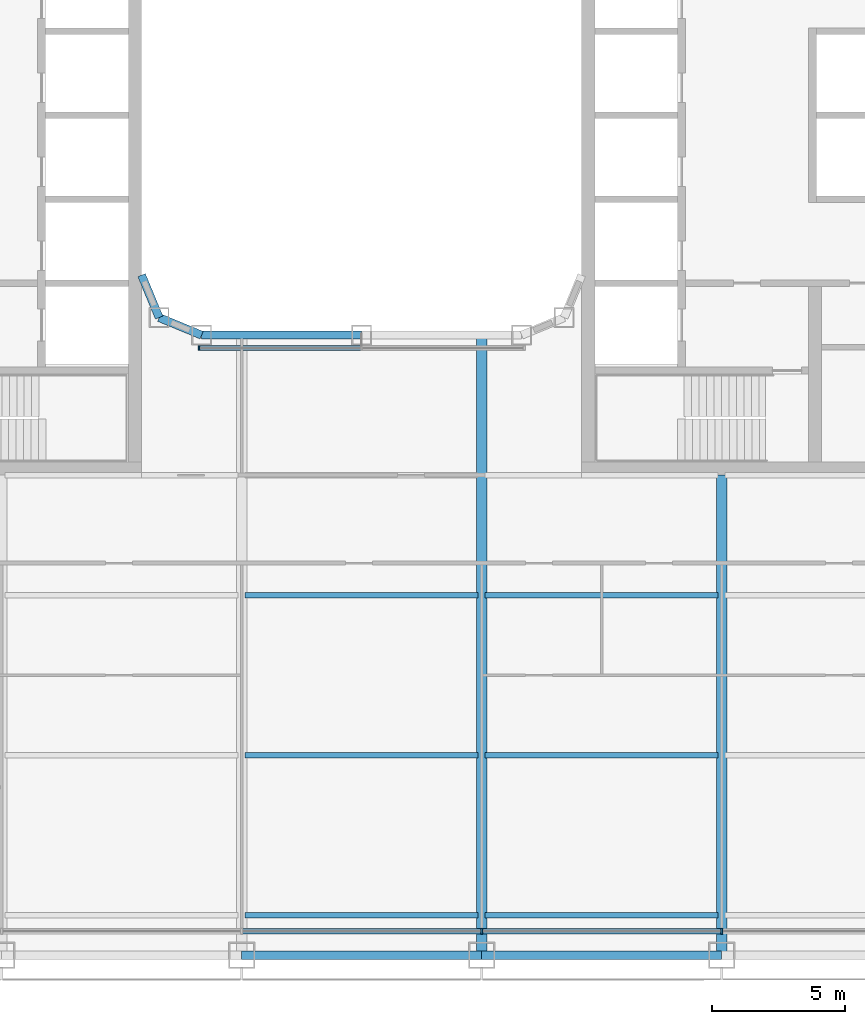
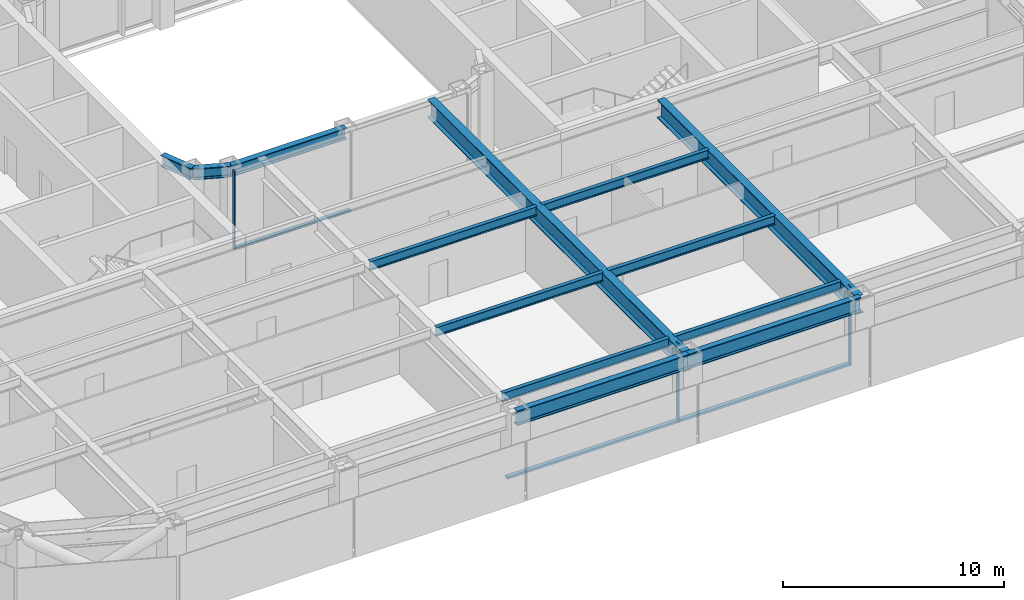
# One storey, part 3 of 28: 13 beams, 6 members, 2 elements without a shape of their own.
"""IFC4 building model written with IfcOpenShell, lengths in metres."""

from ifc_helpers import new_model, si_unit, direction, frame, origin, origin_2d, place, context, subcontext, project, spatial, rectangle, i_section, extrude, material, layer, layer_set, material_profile, profile_set, type_object, element, aggregate, save


model = new_model("IFC4")

# Units and contexts
model_context = context("Model", 3, precision=1e-05, world=origin(), true_north=direction((0.0, 1.0)))
body_context = subcontext(model_context, "Body", "Model", "MODEL_VIEW")
ifc_project = project(units=[si_unit("LENGTHUNIT", "METRE"), si_unit("AREAUNIT", "SQUARE_METRE"), si_unit("VOLUMEUNIT", "CUBIC_METRE"), si_unit("PLANEANGLEUNIT", "RADIAN"), si_unit("MASSUNIT", "GRAM", prefix="KILO")], contexts=[model_context])

# Site, building, storey
site_placement = place(None, origin())
site = spatial("IfcSite", under=ifc_project, at=site_placement, CompositionType="ELEMENT")
building_placement = place(site_placement, origin())
building = spatial("IfcBuilding", under=site, at=building_placement, Name="Siwar Civic Tower", CompositionType="ELEMENT")
storey_placement = place(building_placement, frame((0.0, 0.0, 85.199951171875)))
storey = spatial("IfcBuildingStorey", under=building, at=storey_placement, Name="L18", CompositionType="ELEMENT", Elevation=85.199951171875)

# Curtain wall, members
ifc_material_1 = material(Name="Aluminium and glass", Category="aluminium")
ifc_layer_1 = layer(ifc_material_1, 0.219970703125)
ifc_layer_set_1 = layer_set([ifc_layer_1], Name="Aluminium and glass")
curtain_wall_type_1 = type_object("IfcCurtainWallType", Name="ENV-CW-A", PredefinedType="NOTDEFINED", material=ifc_layer_set_1)
curtain_wall_1_placement = place(storey_placement, origin())
curtain_wall_1 = element("IfcCurtainWall", 1, at=curtain_wall_1_placement, inside=storey, type_object=curtain_wall_type_1, Name="Curtain wall A S", PredefinedType="NOTDEFINED")
ifc_material_2 = material(Name="Aluminium 6063-T6", Category="aluminium")
ifc_material_profile_1 = material_profile(ifc_material_2, rectangle(XDim=0.219970703125, YDim=0.070068359375, at=origin_2d()), Name="AL 220x70")
ifc_profile_set_1 = profile_set([ifc_material_profile_1], Name="Aluminium 6063-T6")
member_type_1 = type_object("IfcMemberType", Name="ENV-MULLION-A", PredefinedType="MULLION", material=ifc_profile_set_1)
member_1_placement = place(storey_placement, frame((4.5, -30.60009765625, 0.0), z_axis=(0.0, 0.0, 1.0), x_axis=(0.0, 1.0, 0.0)))
member_1 = element("IfcMember", 2, at=member_1_placement, type_object=member_type_1, Name="Mullion A S 4", PredefinedType="MULLION", context=body_context, shape_type="SweptSolid", body=[
    extrude(rectangle(XDim=0.219970703125, YDim=0.070068359375, at=origin_2d()), origin(), (0.0, 0.0, 1.0), 4.35009765625),
])
member_2_placement = place(storey_placement, frame((13.5, -30.60009765625, 0.0), z_axis=(0.0, 0.0, 1.0), x_axis=(0.0, 1.0, 0.0)))
member_2 = element("IfcMember", 3, at=member_2_placement, type_object=member_type_1, Name="Mullion A S 5", PredefinedType="MULLION", context=body_context, shape_type="SweptSolid", body=[
    extrude(rectangle(XDim=0.219970703125, YDim=0.070068359375, at=origin_2d()), origin(), (0.0, 0.0, 1.0), 4.35009765625),
])

# Curtain wall, member
ifc_material_3 = material(Name="Aluminium and glass", Category="aluminium")
ifc_layer_2 = layer(ifc_material_3, 0.179931640625)
ifc_layer_set_2 = layer_set([ifc_layer_2], Name="Aluminium and glass")
curtain_wall_type_2 = type_object("IfcCurtainWallType", Name="ENV-CW-W", PredefinedType="NOTDEFINED", material=ifc_layer_set_2)
curtain_wall_2_placement = place(storey_placement, origin())
curtain_wall_2 = element("IfcCurtainWall", 4, at=curtain_wall_2_placement, inside=storey, type_object=curtain_wall_type_2, Name="Curtain wall W WS", PredefinedType="NOTDEFINED")
ifc_material_4 = material(Name="Aluminium 6063-T6", Category="aluminium")
ifc_material_profile_2 = material_profile(ifc_material_4, rectangle(XDim=0.179931640625, YDim=0.06005859375, at=origin_2d()), Name="AL 180x60")
ifc_profile_set_2 = profile_set([ifc_material_profile_2], Name="Aluminium 6063-T6")
member_type_2 = type_object("IfcMemberType", Name="ENV-MULLION-W", PredefinedType="MULLION", material=ifc_profile_set_2)
member_3_placement = place(storey_placement, frame((-6.096435546875, -8.735107421875, 0.0), z_axis=(0.0, 0.0, 1.0), x_axis=(0.0, 1.0, 0.0)))
member_3 = element("IfcMember", 5, at=member_3_placement, type_object=member_type_2, Name="Mullion W WS 1", PredefinedType="MULLION", context=body_context, shape_type="SweptSolid", body=[
    extrude(rectangle(XDim=0.179931640625, YDim=0.06005859375, at=origin_2d()), origin(), (0.0, 0.0, 1.0), 4.35009765625),
])

# Member
ifc_material_5 = material(Name="Aluminium 6063-T6", Category="aluminium")
ifc_material_profile_3 = material_profile(ifc_material_5, rectangle(XDim=0.219970703125, YDim=0.1201171875, at=origin_2d()), Name="AL 220x120")
ifc_profile_set_3 = profile_set([ifc_material_profile_3], Name="Aluminium 6063-T6")
member_type_3 = type_object("IfcMemberType", Name="ENV-TRANSOM-A", PredefinedType="USERDEFINED", material=ifc_profile_set_3)
member_4_placement = place(storey_placement, frame((-4.465087890625, -30.60009765625, 0.06005859375), z_axis=(1.0, 0.0, 0.0), x_axis=(0.0, 1.0, 0.0)))
member_4 = element("IfcMember", 6, at=member_4_placement, type_object=member_type_3, Name="Transom A S 3", ObjectType="TRANSOM", PredefinedType="USERDEFINED", context=body_context, shape_type="SweptSolid", body=[
    extrude(rectangle(XDim=0.219970703125, YDim=0.1201171875, at=origin_2d()), origin(), (0.0, 0.0, 1.0), 8.93017578125),
])

member_5_placement = place(storey_placement, frame((4.534912109375, -30.60009765625, 0.06005859375), z_axis=(1.0, 0.0, 0.0), x_axis=(0.0, 1.0, 0.0)))
member_5 = element("IfcMember", 7, at=member_5_placement, type_object=member_type_3, Name="Transom A S 4", ObjectType="TRANSOM", PredefinedType="USERDEFINED", context=body_context, shape_type="SweptSolid", body=[
    extrude(rectangle(XDim=0.219970703125, YDim=0.1201171875, at=origin_2d()), origin(), (0.0, 0.0, 1.0), 8.93017578125),
])

aggregate(curtain_wall_1, [member_1, member_2, member_4, member_5])

ifc_material_6 = material(Name="Aluminium 6063-T6", Category="aluminium")
ifc_material_profile_4 = material_profile(ifc_material_6, rectangle(XDim=0.179931640625, YDim=0.10009765625, at=origin_2d()), Name="AL 180x100")
ifc_profile_set_4 = profile_set([ifc_material_profile_4], Name="Aluminium 6063-T6")
member_type_4 = type_object("IfcMemberType", Name="ENV-TRANSOM-W", PredefinedType="USERDEFINED", material=ifc_profile_set_4)
member_6_placement = place(storey_placement, frame((-6.06640625, -8.735107421875, 0.050048828125), z_axis=(1.0, 0.0, 0.0), x_axis=(0.0, 1.0, 0.0)))
member_6 = element("IfcMember", 8, at=member_6_placement, type_object=member_type_4, Name="Transom W WS 1", ObjectType="TRANSOM", PredefinedType="USERDEFINED", context=body_context, shape_type="SweptSolid", body=[
    extrude(rectangle(XDim=0.179931640625, YDim=0.10009765625, at=origin_2d()), origin(), (0.0, 0.0, 1.0), 6.036376953125),
])

aggregate(curtain_wall_2, [member_3, member_6])

# Beams
ifc_material_7 = material(Name="Steel S355", Category="steel")
ifc_material_profile_5 = material_profile(ifc_material_7, i_section(OverallWidth=0.199951171875, OverallDepth=0.5, WebThickness=0.01025390625, FlangeThickness=0.01611328125, FilletRadius=0.02099609375, at=origin_2d()), Name="IPE500")
ifc_profile_set_5 = profile_set([ifc_material_profile_5], Name="Steel S355")
beam_type_1 = type_object("IfcBeamType", Name="STR-FB-IPE500", PredefinedType="JOIST", material=ifc_profile_set_5)
for number, where, z_axis, x_axis, name in (
    (9, (-4.3701171875, -30.0, 4.10009765625), (1.0, 0.0, 0.0), (0.0, 1.0, 0.0), "L18/bm/F004"),
    (10, (4.6298828125, -30.0, 4.10009765625), (1.0, 0.0, 0.0), (0.0, 1.0, 0.0), "L18/bm/F005"),
    (11, (-4.3701171875, -24.0, 4.10009765625), (1.0, 0.0, 0.0), (0.0, 1.0, 0.0), "L18/bm/F011"),
    (12, (4.6298828125, -24.0, 4.10009765625), (1.0, 0.0, 0.0), (0.0, 1.0, 0.0), "L18/bm/F012"),
    (13, (-4.3701171875, -18.0, 4.10009765625), (1.0, 0.0, 0.0), (0.0, 1.0, 0.0), "L18/bm/F018"),
    (14, (4.6298828125, -18.0, 4.10009765625), (1.0, 0.0, 0.0), (0.0, 1.0, 0.0), "L18/bm/F019"),
):
    element("IfcBeam", number, at=place(storey_placement, frame(where, z_axis=z_axis, x_axis=x_axis)), inside=storey, type_object=beam_type_1, Name=name, PredefinedType="JOIST", context=body_context, shape_type="SweptSolid", body=[
        extrude(i_section(OverallWidth=0.199951171875, OverallDepth=0.5, WebThickness=0.01025390625, FlangeThickness=0.01611328125, FilletRadius=0.02099609375, at=origin_2d()), origin(), (0.0, 0.0, 1.0), 8.740234375),
    ])
ifc_material_8 = material(Name="Steel S355", Category="steel")
ifc_material_profile_6 = material_profile(ifc_material_8, i_section(OverallWidth=0.39990234375, OverallDepth=1.0, WebThickness=0.01611328125, FlangeThickness=0.0400390625, at=origin_2d()), Name="PG1000x400x16x40")
ifc_profile_set_6 = profile_set([ifc_material_profile_6], Name="Steel S355")
beam_type_2 = type_object("IfcBeamType", Name="STR-PG-PG1000x400x16x40", PredefinedType="BEAM", material=ifc_profile_set_6)
beam_1_placement = place(storey_placement, frame((4.5, -31.5, 3.85009765625), z_axis=(0.0, 1.0, 0.0), x_axis=(-1.0, 0.0, 0.0)))
element("IfcBeam", 15, at=beam_1_placement, inside=storey, type_object=beam_type_2, Name="L18/bm/G07", PredefinedType="BEAM", context=body_context, shape_type="SweptSolid", body=[
    extrude(i_section(OverallWidth=0.39990234375, OverallDepth=1.0, WebThickness=0.01611328125, FlangeThickness=0.0400390625, at=origin_2d()), origin(), (0.0, 0.0, 1.0), 23.25),
])
beam_2_placement = place(storey_placement, frame((13.5, -31.5, 3.85009765625), z_axis=(0.0, 1.0, 0.0), x_axis=(-1.0, 0.0, 0.0)))
element("IfcBeam", 16, at=beam_2_placement, inside=storey, type_object=beam_type_2, Name="L18/bm/G09", PredefinedType="BEAM", context=body_context, shape_type="SweptSolid", body=[
    extrude(i_section(OverallWidth=0.39990234375, OverallDepth=1.0, WebThickness=0.01611328125, FlangeThickness=0.0400390625, at=origin_2d()), origin(), (0.0, 0.0, 1.0), 18.0),
])
ifc_material_9 = material(Name="Steel S355", Category="steel")
ifc_material_profile_7 = material_profile(ifc_material_9, i_section(OverallWidth=0.304931640625, OverallDepth=0.6201171875, WebThickness=0.02099609375, FlangeThickness=0.0400390625, FilletRadius=0.027099609375, at=origin_2d()), Name="HEM600")
ifc_profile_set_7 = profile_set([ifc_material_profile_7], Name="Steel S355")
beam_type_3 = type_object("IfcBeamType", Name="STR-RB-HEM600", PredefinedType="BEAM", material=ifc_profile_set_7)
beam_3_placement = place(storey_placement, frame((-7.591064453125, -7.591064453125, 4.0400390625), z_axis=(0.923901072997, -0.382631424892, 0.0), x_axis=(0.382631424892, 0.923901072997, 0.0)))
element("IfcBeam", 17, at=beam_3_placement, inside=storey, type_object=beam_type_3, Name="L18/bm/RS0", PredefinedType="BEAM", context=body_context, shape_type="SweptSolid", body=[
    extrude(i_section(OverallWidth=0.304931640625, OverallDepth=0.6201171875, WebThickness=0.02099609375, FlangeThickness=0.0400390625, FilletRadius=0.027099609375, at=origin_2d()), origin(), (0.0, 0.0, 1.0), 1.72216796875),
])
beam_4_placement = place(storey_placement, frame((-6.0, -8.25, 4.0400390625), z_axis=(1.0, 0.0, 0.0), x_axis=(0.0, 1.0, 0.0)))
element("IfcBeam", 18, at=beam_4_placement, inside=storey, type_object=beam_type_3, Name="L18/bm/RS1", PredefinedType="BEAM", context=body_context, shape_type="SweptSolid", body=[
    extrude(i_section(OverallWidth=0.304931640625, OverallDepth=0.6201171875, WebThickness=0.02099609375, FlangeThickness=0.0400390625, FilletRadius=0.027099609375, at=origin_2d()), origin(), (0.0, 0.0, 1.0), 6.0),
])
beam_5_placement = place(storey_placement, frame((-7.591064453125, -7.591064453125, 4.0400390625), z_axis=(-0.382631424892, 0.923901072997, 0.0), x_axis=(-0.923901072997, -0.382631424892, 0.0)))
element("IfcBeam", 19, at=beam_5_placement, inside=storey, type_object=beam_type_3, Name="L18/bm/RSEW", PredefinedType="BEAM", context=body_context, shape_type="SweptSolid", body=[
    extrude(i_section(OverallWidth=0.304931640625, OverallDepth=0.6201171875, WebThickness=0.02099609375, FlangeThickness=0.0400390625, FilletRadius=0.027099609375, at=origin_2d()), origin(), (0.0, 0.0, 1.0), 1.72216796875),
])
ifc_material_10 = material(Name="Steel S355", Category="steel")
ifc_material_profile_8 = material_profile(ifc_material_10, i_section(OverallWidth=0.302978515625, OverallDepth=0.81396484375, WebThickness=0.02099609375, FlangeThickness=0.0400390625, FilletRadius=0.030029296875, at=origin_2d()), Name="HEM800")
ifc_profile_set_8 = profile_set([ifc_material_profile_8], Name="Steel S355")
beam_type_4 = type_object("IfcBeamType", Name="STR-SB-HEM800", PredefinedType="BEAM", material=ifc_profile_set_8)
for number, where, z_axis, x_axis, name in (
    (20, (-4.5, -31.5, 3.943115234375), (1.0, 0.0, 0.0), (0.0, 1.0, 0.0), "L18/bm/SS-2"),
    (21, (4.5, -31.5, 3.943115234375), (1.0, 0.0, 0.0), (0.0, 1.0, 0.0), "L18/bm/SS-3"),
):
    element("IfcBeam", number, at=place(storey_placement, frame(where, z_axis=z_axis, x_axis=x_axis)), inside=storey, type_object=beam_type_4, Name=name, PredefinedType="BEAM", context=body_context, shape_type="SweptSolid", body=[
        extrude(i_section(OverallWidth=0.302978515625, OverallDepth=0.81396484375, WebThickness=0.02099609375, FlangeThickness=0.0400390625, FilletRadius=0.030029296875, at=origin_2d()), origin(), (0.0, 0.0, 1.0), 9.0),
    ])

save(model, "model.ifc")
